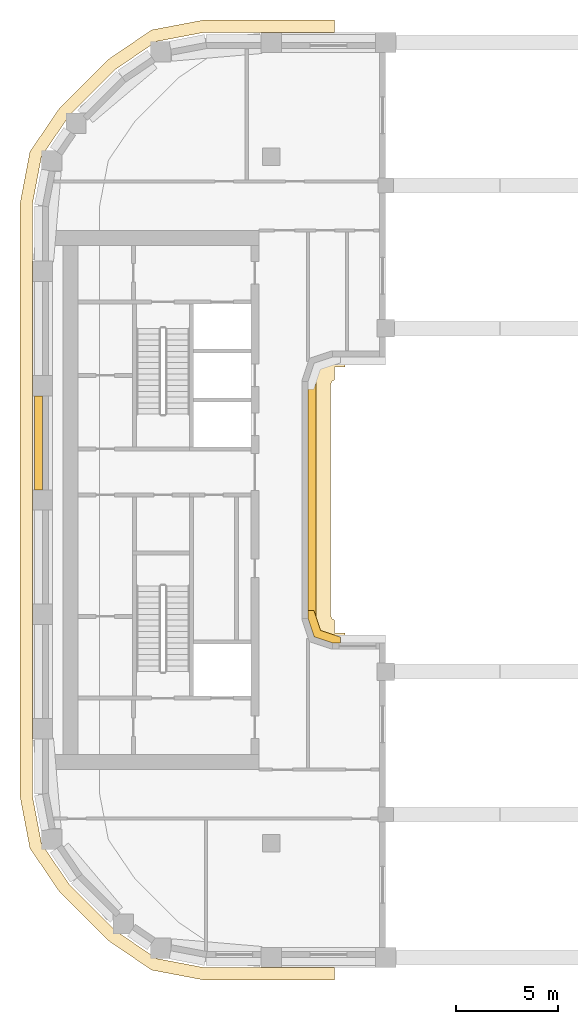
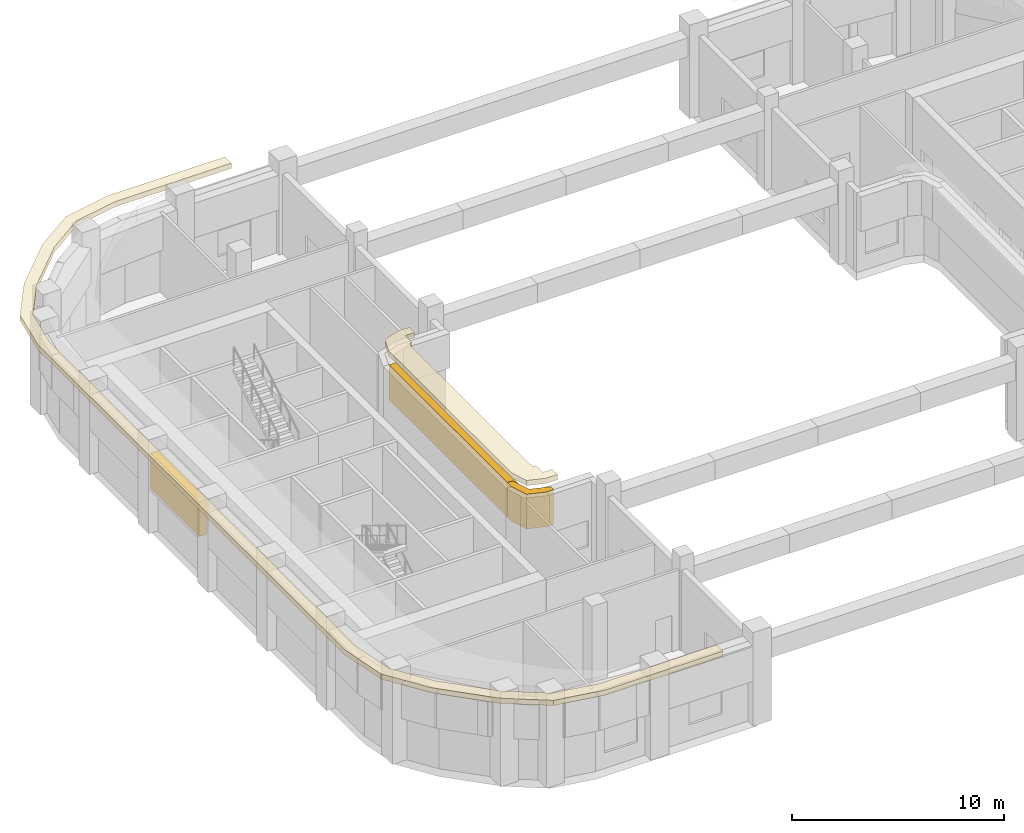
# One storey, part 9 of 14: 5 coverings.
"""IFC4 building model written with IfcOpenShell, lengths in metres."""

from ifc_helpers import new_model, si_unit, direction, frame, origin, origin_2d, place, context, subcontext, project, spatial, polyline, rectangle, outline, extrude, material, layer, layer_set, type_object, element, save


model = new_model("IFC4")

# Units and contexts
model_context = context("Model", 3, precision=1e-05, world=origin(), true_north=direction((0.0, 1.0)))
body_context = subcontext(model_context, "Body", "Model", "MODEL_VIEW")
ifc_project = project(units=[si_unit("LENGTHUNIT", "METRE"), si_unit("AREAUNIT", "SQUARE_METRE"), si_unit("VOLUMEUNIT", "CUBIC_METRE"), si_unit("PLANEANGLEUNIT", "RADIAN"), si_unit("MASSUNIT", "GRAM", prefix="KILO")], contexts=[model_context])

# Site, building, storey
site_placement = place(None, origin())
site = spatial("IfcSite", under=ifc_project, at=site_placement, CompositionType="ELEMENT")
building_placement = place(site_placement, origin())
building = spatial("IfcBuilding", under=site, at=building_placement, Name="Kiln Ring Residences", CompositionType="ELEMENT")
storey_placement = place(building_placement, frame((0.0, 0.0, 183.5)))
storey = spatial("IfcBuildingStorey", under=building, at=storey_placement, Name="L47", CompositionType="ELEMENT", Elevation=183.5)

# Coverings
ifc_material_1 = material(Name="Black powder-coated steel", Category="steel")
ifc_layer = layer(ifc_material_1, 0.300048828125)
ifc_layer_set = layer_set([ifc_layer], Name="SUNSHADE FIN 600")
covering_type_1 = type_object("IfcCoveringType", Name="SUNSHADE FIN 600", PredefinedType="CLADDING", material=ifc_layer_set)
placement = place(storey_placement, frame((0.0, 0.0, 5.10009765625)))
element("IfcCovering", 1, at=placement, inside=storey, type_object=covering_type_1, Name="SUNSHADE FIN L47", PredefinedType="CLADDING", context=body_context, shape_type="SweptSolid", body=[
    extrude(outline(polyline([(-28.613525390625, 17.05419921875), (-29.10009765625, 14.50390625), (-29.10009765625, -14.50390625), (-28.613525390625, -17.05419921875), (-27.154296875, -19.201416015625), (-24.801513671875, -21.55419921875), (-22.654052734375, -23.013671875), (-20.10400390625, -23.5), (-13.699951171875, -23.5), (-13.699951171875, -22.89990234375), (-20.04736328125, -22.89990234375), (-22.419677734375, -22.447509765625), (-24.417236328125, -21.08984375), (-26.68994140625, -18.817138671875), (-28.047607421875, -16.819580078125), (-28.5, -14.447265625), (-28.5, 14.447265625), (-28.047607421875, 16.819580078125), (-26.68994140625, 18.817138671875), (-24.417236328125, 21.08984375), (-22.419677734375, 22.447509765625), (-20.04736328125, 22.89990234375), (-13.699951171875, 22.89990234375), (-13.699951171875, 23.5), (-20.10400390625, 23.5), (-22.654052734375, 23.013671875), (-24.801513671875, 21.55419921875), (-27.154296875, 19.201416015625), (-28.613525390625, 17.05419921875)])), origin(), (0.0, 0.0, 1.0), 0.2998046875),
])
element("IfcCovering", 2, at=placement, inside=storey, type_object=covering_type_1, Name="SUNSHADE FIN L47", PredefinedType="CLADDING", context=body_context, shape_type="SweptSolid", body=[
    extrude(outline(polyline([(-13.699951171875, 5.873779296875), (-13.699951171875, 6.5), (-13.18994140625, 6.5), (-13.18994140625, 7.0), (-13.800048828125, 7.0), (-14.699951171875, 6.699951171875), (-15.0, 5.800048828125), (-15.0, -5.800048828125), (-14.699951171875, -6.699951171875), (-13.800048828125, -7.0), (-13.18994140625, -7.0), (-13.18994140625, -6.5), (-13.699951171875, -6.5), (-13.699951171875, -5.873779296875), (-13.830322265625, -5.830322265625), (-13.89990234375, -5.62158203125), (-13.89990234375, 5.62158203125), (-13.830322265625, 5.830322265625), (-13.699951171875, 5.873779296875)])), origin(), (0.0, 0.0, 1.0), 0.2998046875),
])
ifc_material_2 = material(Name="Concrete C35/45, exposed aggregate finish", Category="concrete")
covering_type_2 = type_object("IfcCoveringType", Name="TIE BAND 2000 x 400", PredefinedType="CLADDING", material=ifc_material_2)
covering_3_placement = place(storey_placement, frame((-14.800048828125, 0.0, 2.60009765625), z_axis=(0.0, 0.0, 1.0), x_axis=(0.0, 1.0, 0.0)))
element("IfcCovering", 3, at=covering_3_placement, inside=storey, type_object=covering_type_2, Name="TIE BAND L47", PredefinedType="CLADDING", context=body_context, shape_type="SweptSolid", body=[
    extrude(rectangle(XDim=11.60009765625, YDim=0.39990234375, at=origin_2d()), origin(), (0.0, 0.0, 1.0), 2.0),
])
covering_4_placement = place(storey_placement, frame((-28.199951171875, 2.800048828125, 2.60009765625), z_axis=(0.0, 0.0, 1.0), x_axis=(0.0, -1.0, 0.0)))
element("IfcCovering", 4, at=covering_4_placement, inside=storey, type_object=covering_type_2, Name="TIE BAND L47", PredefinedType="CLADDING", context=body_context, shape_type="SweptSolid", body=[
    extrude(rectangle(XDim=4.60009765625, YDim=0.39990234375, at=origin_2d()), origin(), (0.0, 0.0, 1.0), 2.0),
])
covering_5_placement = place(storey_placement, frame((0.0, 0.0, 2.60009765625)))
element("IfcCovering", 5, at=covering_5_placement, inside=storey, type_object=covering_type_2, Name="TIE BAND L47", PredefinedType="CLADDING", context=body_context, shape_type="SweptSolid", body=[
    extrude(outline(polyline([(-13.800048828125, -7.0), (-13.39990234375, -7.0), (-13.39990234375, -6.711669921875), (-14.3837890625, -6.3837890625), (-14.711669921875, -5.39990234375), (-15.0, -5.39990234375), (-15.0, -5.800048828125), (-14.699951171875, -6.699951171875), (-13.800048828125, -7.0)])), origin(), (0.0, 0.0, 1.0), 2.0),
])

save(model, "model.ifc")
